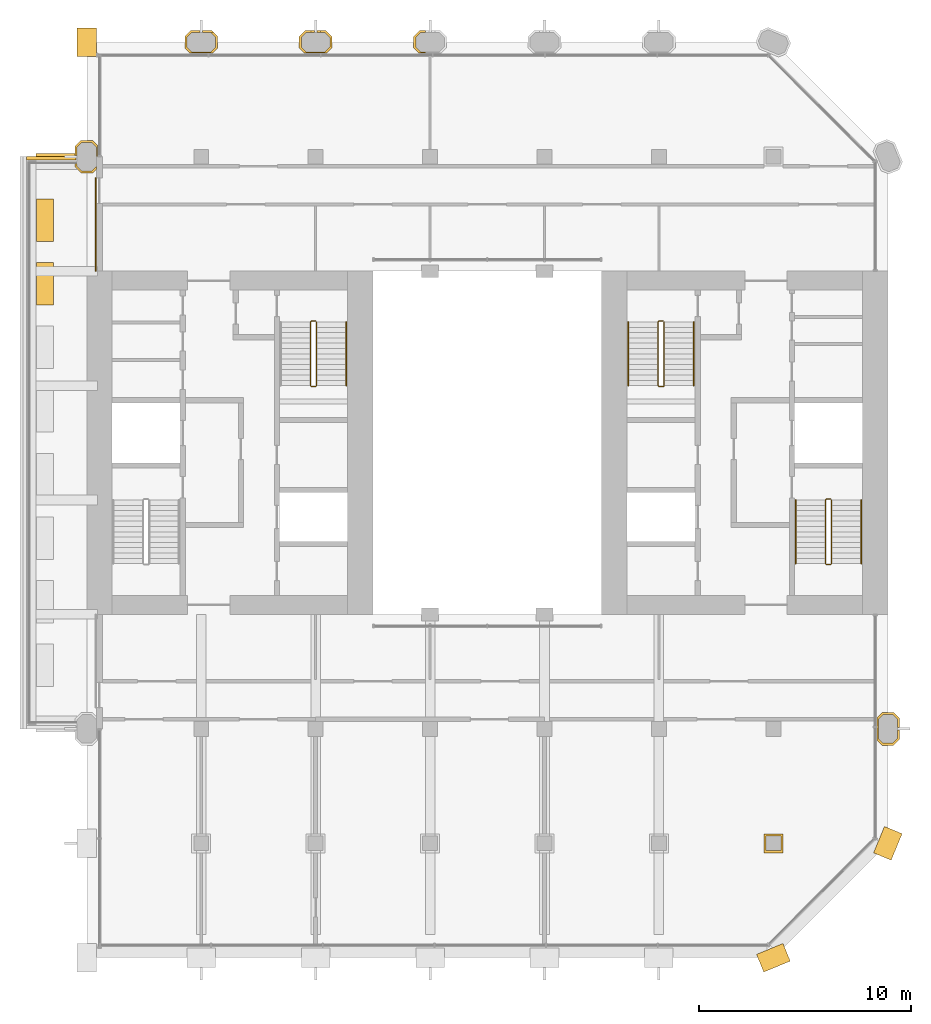
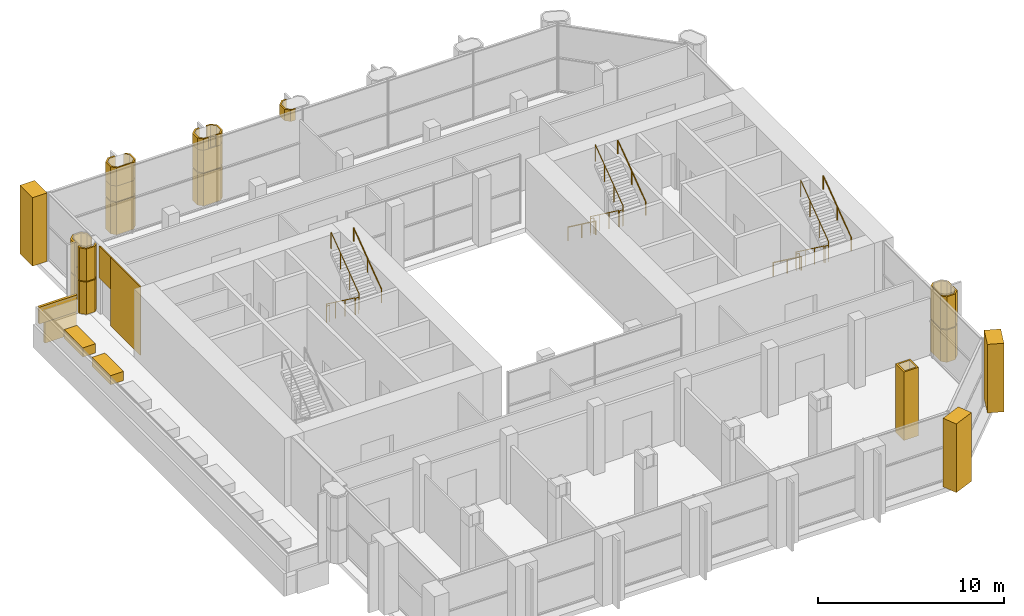
# One storey, part 13 of 14: 24 coverings, 8 railings.
"""IFC4 building model written with IfcOpenShell, lengths in metres."""

from ifc_helpers import new_model, si_unit, direction, frame, frame_2d, origin, origin_2d, place, context, subcontext, project, spatial, polyline, rectangle, circle, outline, extrude, material, layer, layer_set, type_object, element, save


model = new_model("IFC4")

# Units and contexts
model_context = context("Model", 3, precision=1e-05, world=origin(), true_north=direction((0.0, 1.0)))
body_context = subcontext(model_context, "Body", "Model", "MODEL_VIEW")
ifc_project = project(units=[si_unit("LENGTHUNIT", "METRE"), si_unit("AREAUNIT", "SQUARE_METRE"), si_unit("VOLUMEUNIT", "CUBIC_METRE"), si_unit("PLANEANGLEUNIT", "RADIAN"), si_unit("MASSUNIT", "GRAM", prefix="KILO")], contexts=[model_context])

# Site, building, storey
site_placement = place(None, origin())
site = spatial("IfcSite", under=ifc_project, at=site_placement, CompositionType="ELEMENT")
building_placement = place(site_placement, origin())
building = spatial("IfcBuilding", under=site, at=building_placement, Name="Tabaq Tower and Sports Hall", CompositionType="ELEMENT")
storey_placement = place(building_placement, frame((0.0, 0.0, 250.89990234375)))
storey = spatial("IfcBuildingStorey", under=building, at=storey_placement, Name="L61", CompositionType="ELEMENT", Elevation=250.89990234375)

# Coverings
ifc_material_1 = material(Name="Precast concrete C60/75", Category="concrete")
ifc_layer_1 = layer(ifc_material_1, 0.10009765625)
ifc_layer_set_1 = layer_set([ifc_layer_1], Name="Column cladding 100")
covering_type_1 = type_object("IfcCoveringType", Name="Column cladding 100", PredefinedType="CLADDING", material=ifc_layer_set_1)
covering_1_placement = place(storey_placement, frame((0.0, 0.0, 0.10009765625)))
element("IfcCovering", 1, at=covering_1_placement, inside=storey, type_object=covering_type_1, Name="Column cladding L61 PC-2H-S2", PredefinedType="CLADDING", context=body_context, shape_type="SweptSolid", body=[
    extrude(outline(polyline([(4.850341796875, 38.291259765625), (5.1337890625, 38.57470703125), (5.666259765625, 38.57470703125), (5.90966796875, 38.331298828125), (5.90966796875, 37.80029296875), (5.850341796875, 37.80029296875), (5.850341796875, 38.250244140625), (5.625244140625, 38.475341796875), (5.1748046875, 38.475341796875), (4.94970703125, 38.250244140625), (4.94970703125, 37.8603515625), (4.850341796875, 37.8603515625), (4.850341796875, 38.291259765625)])), origin(), (0.0, 0.0, 1.0), 2.1201171875),
])
covering_2_placement = place(storey_placement, frame((0.0, 0.0, 0.10009765625)))
element("IfcCovering", 2, at=covering_2_placement, inside=storey, type_object=covering_type_1, Name="Column cladding L61 PC-2H-S2 2", PredefinedType="CLADDING", context=body_context, shape_type="SweptSolid", body=[
    extrude(outline(polyline([(5.1337890625, 37.025390625), (4.850341796875, 37.30859375), (4.850341796875, 37.48974609375), (4.900390625, 37.48974609375), (4.900390625, 37.509765625), (4.94970703125, 37.509765625), (4.94970703125, 37.349853515625), (5.1748046875, 37.124755859375), (5.625244140625, 37.124755859375), (5.849609375, 37.349365234375), (5.849609375, 37.208740234375), (5.666259765625, 37.025390625), (5.1337890625, 37.025390625)])), origin(), (0.0, 0.0, 1.0), 2.1201171875),
])
covering_3_placement = place(storey_placement, frame((0.0, 0.0, 2.280029296875)))
element("IfcCovering", 3, at=covering_3_placement, inside=storey, type_object=covering_type_1, Name="Column cladding L61 PC-2H-S2 2", PredefinedType="CLADDING", context=body_context, shape_type="SweptSolid", body=[
    extrude(outline(polyline([(4.850341796875, 38.291259765625), (5.1337890625, 38.57470703125), (5.666259765625, 38.57470703125), (5.90966796875, 38.331298828125), (5.90966796875, 37.80029296875), (5.850341796875, 37.80029296875), (5.850341796875, 38.250244140625), (5.625244140625, 38.475341796875), (5.1748046875, 38.475341796875), (4.94970703125, 38.250244140625), (4.94970703125, 37.8603515625), (4.850341796875, 37.8603515625), (4.850341796875, 38.291259765625)])), origin(), (0.0, 0.0, 1.0), 2.1201171875),
])
covering_4_placement = place(storey_placement, frame((0.0, 0.0, 2.280029296875)))
element("IfcCovering", 4, at=covering_4_placement, inside=storey, type_object=covering_type_1, Name="Column cladding L61 PC-2H-S2 2 2", PredefinedType="CLADDING", context=body_context, shape_type="SweptSolid", body=[
    extrude(outline(polyline([(5.1337890625, 37.025390625), (4.850341796875, 37.30859375), (4.850341796875, 37.48974609375), (4.900390625, 37.48974609375), (4.900390625, 37.509765625), (4.94970703125, 37.509765625), (4.94970703125, 37.349853515625), (5.1748046875, 37.124755859375), (5.625244140625, 37.124755859375), (5.849609375, 37.349365234375), (5.849609375, 37.208740234375), (5.666259765625, 37.025390625), (5.1337890625, 37.025390625)])), origin(), (0.0, 0.0, 1.0), 2.1201171875),
])
covering_5_placement = place(storey_placement, frame((0.0, 0.0, 0.10009765625)))
element("IfcCovering", 5, at=covering_5_placement, inside=storey, type_object=covering_type_1, Name="Column cladding L61 PC-3I-S2", PredefinedType="CLADDING", context=body_context, shape_type="SweptSolid", body=[
    extrude(outline(polyline([(10.025390625, 43.46630859375), (10.30859375, 43.749755859375), (10.73974609375, 43.749755859375), (10.73974609375, 43.650390625), (10.349853515625, 43.650390625), (10.124755859375, 43.425048828125), (10.124755859375, 42.974853515625), (10.349853515625, 42.749755859375), (11.250244140625, 42.749755859375), (11.475341796875, 42.974853515625), (11.475341796875, 43.425048828125), (11.250244140625, 43.650390625), (10.8603515625, 43.650390625), (10.8603515625, 43.749755859375), (11.291259765625, 43.749755859375), (11.57470703125, 43.46630859375), (11.57470703125, 42.93359375), (11.331298828125, 42.690185546875), (10.268798828125, 42.690185546875), (10.025390625, 42.93359375), (10.025390625, 43.46630859375)])), origin(), (0.0, 0.0, 1.0), 2.1201171875),
])
covering_6_placement = place(storey_placement, frame((0.0, 0.0, 2.280029296875)))
element("IfcCovering", 6, at=covering_6_placement, inside=storey, type_object=covering_type_1, Name="Column cladding L61 PC-3I-S2 2", PredefinedType="CLADDING", context=body_context, shape_type="SweptSolid", body=[
    extrude(outline(polyline([(10.025390625, 43.46630859375), (10.30859375, 43.749755859375), (10.73974609375, 43.749755859375), (10.73974609375, 43.650390625), (10.349853515625, 43.650390625), (10.124755859375, 43.425048828125), (10.124755859375, 42.974853515625), (10.349853515625, 42.749755859375), (11.250244140625, 42.749755859375), (11.475341796875, 42.974853515625), (11.475341796875, 43.425048828125), (11.250244140625, 43.650390625), (10.8603515625, 43.650390625), (10.8603515625, 43.749755859375), (11.291259765625, 43.749755859375), (11.57470703125, 43.46630859375), (11.57470703125, 42.93359375), (11.331298828125, 42.690185546875), (10.268798828125, 42.690185546875), (10.025390625, 42.93359375), (10.025390625, 43.46630859375)])), origin(), (0.0, 0.0, 1.0), 1.02001953125),
])
covering_7_placement = place(storey_placement, frame((0.0, 0.0, 3.300048828125)))
element("IfcCovering", 7, at=covering_7_placement, inside=storey, type_object=covering_type_1, Name="Column cladding L61 PC-3I-S2 head", PredefinedType="CLADDING", context=body_context, shape_type="SweptSolid", body=[
    extrude(outline(polyline([(10.30859375, 43.749755859375), (10.73974609375, 43.749755859375), (10.73974609375, 43.650390625), (10.349853515625, 43.650390625), (10.124755859375, 43.425048828125), (10.124755859375, 42.974853515625), (10.349853515625, 42.749755859375), (11.250244140625, 42.749755859375), (11.475341796875, 42.974853515625), (11.475341796875, 43.425048828125), (11.250732421875, 43.649658203125), (11.391357421875, 43.649658203125), (11.57470703125, 43.46630859375), (11.57470703125, 42.93359375), (11.331298828125, 42.690185546875), (10.268798828125, 42.690185546875), (10.025390625, 42.93359375), (10.025390625, 43.46630859375), (10.30859375, 43.749755859375)])), origin(), (0.0, 0.0, 1.0), 1.199951171875),
])
covering_8_placement = place(storey_placement, frame((0.0, 0.0, 0.10009765625)))
element("IfcCovering", 8, at=covering_8_placement, inside=storey, type_object=covering_type_1, Name="Column cladding L61 PC-4I-S2", PredefinedType="CLADDING", context=body_context, shape_type="SweptSolid", body=[
    extrude(outline(polyline([(15.42529296875, 43.46630859375), (15.708740234375, 43.749755859375), (16.1396484375, 43.749755859375), (16.1396484375, 43.650390625), (15.749755859375, 43.650390625), (15.524658203125, 43.425048828125), (15.524658203125, 42.974853515625), (15.749755859375, 42.749755859375), (16.650146484375, 42.749755859375), (16.875244140625, 42.974853515625), (16.875244140625, 43.425048828125), (16.650146484375, 43.650390625), (16.26025390625, 43.650390625), (16.26025390625, 43.749755859375), (16.69140625, 43.749755859375), (16.974609375, 43.46630859375), (16.974609375, 42.93359375), (16.731201171875, 42.690185546875), (15.668701171875, 42.690185546875), (15.42529296875, 42.93359375), (15.42529296875, 43.46630859375)])), origin(), (0.0, 0.0, 1.0), 2.1201171875),
])
covering_9_placement = place(storey_placement, frame((0.0, 0.0, 2.280029296875)))
element("IfcCovering", 9, at=covering_9_placement, inside=storey, type_object=covering_type_1, Name="Column cladding L61 PC-4I-S2 2", PredefinedType="CLADDING", context=body_context, shape_type="SweptSolid", body=[
    extrude(outline(polyline([(15.42529296875, 43.46630859375), (15.708740234375, 43.749755859375), (16.1396484375, 43.749755859375), (16.1396484375, 43.650390625), (15.749755859375, 43.650390625), (15.524658203125, 43.425048828125), (15.524658203125, 42.974853515625), (15.749755859375, 42.749755859375), (16.650146484375, 42.749755859375), (16.875244140625, 42.974853515625), (16.875244140625, 43.425048828125), (16.650146484375, 43.650390625), (16.26025390625, 43.650390625), (16.26025390625, 43.749755859375), (16.69140625, 43.749755859375), (16.974609375, 43.46630859375), (16.974609375, 42.93359375), (16.731201171875, 42.690185546875), (15.668701171875, 42.690185546875), (15.42529296875, 42.93359375), (15.42529296875, 43.46630859375)])), origin(), (0.0, 0.0, 1.0), 1.469970703125),
])
covering_10_placement = place(storey_placement, frame((0.0, 0.0, 3.75)))
element("IfcCovering", 10, at=covering_10_placement, inside=storey, type_object=covering_type_1, Name="Column cladding L61 PC-4I-S2 head", PredefinedType="CLADDING", context=body_context, shape_type="SweptSolid", body=[
    extrude(outline(polyline([(16.650146484375, 42.749755859375), (16.875244140625, 42.974853515625), (16.875244140625, 43.425048828125), (16.650146484375, 43.650390625), (16.42529296875, 43.650390625), (16.42529296875, 43.749755859375), (16.69140625, 43.749755859375), (16.974609375, 43.46630859375), (16.974609375, 42.93359375), (16.731201171875, 42.690185546875), (16.42529296875, 42.690185546875), (16.42529296875, 42.749755859375), (16.650146484375, 42.749755859375)])), origin(), (0.0, 0.0, 1.0), 0.75),
])
covering_11_placement = place(storey_placement, frame((0.0, 0.0, 3.75)))
element("IfcCovering", 11, at=covering_11_placement, inside=storey, type_object=covering_type_1, Name="Column cladding L61 PC-4I-S2 head 2", PredefinedType="CLADDING", context=body_context, shape_type="SweptSolid", body=[
    extrude(outline(polyline([(15.708740234375, 43.749755859375), (15.974609375, 43.749755859375), (15.974609375, 43.650390625), (15.749755859375, 43.650390625), (15.524658203125, 43.425048828125), (15.524658203125, 42.974853515625), (15.749755859375, 42.749755859375), (15.974609375, 42.749755859375), (15.974609375, 42.690185546875), (15.668701171875, 42.690185546875), (15.42529296875, 42.93359375), (15.42529296875, 43.46630859375), (15.708740234375, 43.749755859375)])), origin(), (0.0, 0.0, 1.0), 0.75),
])
covering_12_placement = place(storey_placement, frame((0.0, 0.0, 3.75)))
element("IfcCovering", 12, at=covering_12_placement, inside=storey, type_object=covering_type_1, Name="Column cladding L61 PC-5I-S2 head", PredefinedType="CLADDING", context=body_context, shape_type="SweptSolid", body=[
    extrude(outline(polyline([(21.108642578125, 43.749755859375), (21.374755859375, 43.749755859375), (21.374755859375, 43.650390625), (21.14990234375, 43.650390625), (20.9248046875, 43.425048828125), (20.9248046875, 42.974853515625), (21.14990234375, 42.749755859375), (21.374755859375, 42.749755859375), (21.374755859375, 42.690185546875), (21.068603515625, 42.690185546875), (20.8251953125, 42.93359375), (20.8251953125, 43.46630859375), (21.108642578125, 43.749755859375)])), origin(), (0.0, 0.0, 1.0), 0.75),
])
covering_13_placement = place(storey_placement, origin())
element("IfcCovering", 13, at=covering_13_placement, inside=storey, type_object=covering_type_1, Name="Column cladding L61 CC-8B-S2", PredefinedType="CLADDING", context=body_context, shape_type="SweptSolid", body=[
    extrude(outline(polyline([(37.350341796875, 5.849609375), (38.249755859375, 5.849609375), (38.249755859375, 4.9501953125), (37.350341796875, 4.9501953125), (37.350341796875, 5.849609375)]), holes=[polyline([(38.150390625, 5.0498046875), (38.150390625, 5.750244140625), (37.44970703125, 5.750244140625), (37.44970703125, 5.0498046875), (38.150390625, 5.0498046875)])]), origin(), (0.0, 0.0, 1.0), 4.5),
])
for number, where, name in (
    (14, (0.0, 0.0, 0.10009765625), "Column cladding L61 PC-9C-S2"),
    (15, (0.0, 0.0, 2.280029296875), "Column cladding L61 PC-9C-S2 2"),
):
    element("IfcCovering", number, at=place(storey_placement, frame(where)), inside=storey, type_object=covering_type_1, Name=name, PredefinedType="CLADDING", context=body_context, shape_type="SweptSolid", body=[
        extrude(outline(polyline([(42.93359375, 10.025390625), (42.690185546875, 10.268798828125), (42.690185546875, 11.331298828125), (42.93359375, 11.57470703125), (43.46630859375, 11.57470703125), (43.749755859375, 11.291259765625), (43.749755859375, 10.8603515625), (43.650390625, 10.8603515625), (43.650390625, 11.250244140625), (43.425048828125, 11.475341796875), (42.974853515625, 11.475341796875), (42.749755859375, 11.250244140625), (42.749755859375, 10.349853515625), (42.974853515625, 10.124755859375), (43.425048828125, 10.124755859375), (43.650390625, 10.349853515625), (43.650390625, 10.73974609375), (43.749755859375, 10.73974609375), (43.749755859375, 10.30859375), (43.46630859375, 10.025390625), (42.93359375, 10.025390625)])), origin(), (0.0, 0.0, 1.0), 2.1201171875),
    ])
ifc_material_2 = material(Name="White precast concrete C60/75", Category="concrete")
covering_type_2 = type_object("IfcCoveringType", Name="Pier cladding hung 1350x900", PredefinedType="CLADDING", material=ifc_material_2)
for number, where, z_axis, x_axis, name in (
    (16, (5.39990234375, 43.875, 0.0), (0.0, 0.0, 1.0), (0.0, -1.0, 0.0), "Hung pier cladding 1/8"),
    (17, (37.17626953125, -0.25830078125, 0.0), (0.0, 0.0, 1.0), (0.923893411637, 0.382649923473, 0.0), "Hung pier cladding 7/0"),
    (18, (42.941650390625, 4.7763671875, 0.0), (0.0, 0.0, 1.0), (0.382649923473, 0.923893411637, 0.0), "Hung pier cladding 8/1"),
):
    element("IfcCovering", number, at=place(storey_placement, frame(where, z_axis=z_axis, x_axis=x_axis)), inside=storey, type_object=covering_type_2, Name=name, PredefinedType="CLADDING", context=body_context, shape_type="SweptSolid", body=[
        extrude(rectangle(XDim=1.35009765625, YDim=0.89990234375, at=frame_2d((0.675048828125, 0.0))), origin(), (0.0, 0.0, 1.0), 4.5),
    ])
ifc_material_3 = material(Name="Planting soil and drainage layer")
covering_type_3 = type_object("IfcCoveringType", Name="Planter 2000x800x600", PredefinedType="USERDEFINED", material=ifc_material_3)
for number, where, z_axis, x_axis, name in (
    (19, (3.429931640625, 34.800048828125, 0.0), (0.0, 0.0, 1.0), (0.0, -1.0, 0.0), "Planter L61"),
    (20, (3.429931640625, 31.800048828125, 0.0), (0.0, 0.0, 1.0), (0.0, -1.0, 0.0), "Planter L61"),
):
    element("IfcCovering", number, at=place(storey_placement, frame(where, z_axis=z_axis, x_axis=x_axis)), inside=storey, type_object=covering_type_3, Name=name, ObjectType="PLANTER", PredefinedType="USERDEFINED", context=body_context, shape_type="SweptSolid", body=[
        extrude(rectangle(XDim=2.0, YDim=0.800048828125, at=origin_2d()), origin(), (0.0, 0.0, 1.0), 0.60009765625),
    ])

# Railings
ifc_material_4 = material(Name="Stainless steel", Category="steel")
railing_type_1 = type_object("IfcRailingType", Name="Stair guard", PredefinedType="GUARDRAIL", material=ifc_material_4)
railing_1_placement = place(storey_placement, frame((16.199951171875, 30.050048828125, 0.0)))
element("IfcRailing", 21, at=railing_1_placement, inside=storey, type_object=railing_type_1, Name="L61 ST2 stair guard 1", PredefinedType="GUARDRAIL", context=body_context, shape_type="SweptSolid", body=[
    extrude(circle(Radius=0.02392578125, at=origin_2d()), frame((0.0, 0.0, 1.076171875), z_axis=(-1.0, 0.0, 0.0), x_axis=(0.0, -1.0, 0.0)), (0.0, 0.0, 1.0), 0.199951171875),
    extrude(circle(Radius=0.02392578125, at=origin_2d()), frame((-0.199951171875, 0.0, 1.076171875), z_axis=(-0.252893960547, -0.252893960547, 0.933857210411), x_axis=(0.707106781187, -0.707106781187, 0.0)), (0.0, 0.0, 1.0), 0.197998046875),
    extrude(circle(Radius=0.02392578125, at=origin_2d()), frame((-0.25, -0.050048828125, 1.2607421875), z_axis=(0.0, -0.804440004972, 0.594033903411), x_axis=(1.0, 0.0, 0.0)), (0.0, 0.0, 1.0), 3.729248046875),
    extrude(circle(Radius=0.02392578125, at=origin_2d()), frame((-0.25, -3.050048828125, 3.47607421875), z_axis=(0.707106781187, -0.707106781187, 0.0), x_axis=(0.707106781187, 0.707106781187, 0.0)), (0.0, 0.0, 1.0), 0.07080078125),
    extrude(circle(Radius=0.02392578125, at=origin_2d()), frame((-0.199951171875, -3.10009765625, 3.47607421875), z_axis=(1.0, 0.0, 0.0), x_axis=(0.0, 1.0, 0.0)), (0.0, 0.0, 1.0), 0.199951171875),
    extrude(circle(Radius=0.02392578125, at=origin_2d()), frame((0.0, -3.10009765625, 3.47607421875), z_axis=(0.253185614162, 0.253185614162, 0.933699142959), x_axis=(-0.707106781187, 0.707106781187, 0.0)), (0.0, 0.0, 1.0), 0.19775390625),
    extrude(circle(Radius=0.02392578125, at=origin_2d()), frame((0.050048828125, -3.050048828125, 3.66064453125), z_axis=(0.0, 0.804440004972, 0.594033903411), x_axis=(-1.0, 0.0, 0.0)), (0.0, 0.0, 1.0), 3.729248046875),
    extrude(circle(Radius=0.02099609375, at=origin_2d()), origin(), (0.0, 0.0, 1.0), 1.052001953125),
    extrude(circle(Radius=0.02099609375, at=origin_2d()), frame((-0.199951171875, 0.0, 0.0)), (0.0, 0.0, 1.0), 1.052001953125),
    extrude(circle(Radius=0.02099609375, at=origin_2d()), frame((-0.25, -0.050048828125, 0.184814453125)), (0.0, 0.0, 1.0), 1.052001953125),
    extrude(circle(Radius=0.02099609375, at=origin_2d()), frame((-0.25, -1.050048828125, 0.92333984375)), (0.0, 0.0, 1.0), 1.052001953125),
    extrude(circle(Radius=0.02099609375, at=origin_2d()), frame((-0.25, -2.050048828125, 1.66162109375)), (0.0, 0.0, 1.0), 1.052001953125),
    extrude(circle(Radius=0.02099609375, at=origin_2d()), frame((-0.25, -3.050048828125, 2.400146484375)), (0.0, 0.0, 1.0), 1.052001953125),
    extrude(circle(Radius=0.02099609375, at=origin_2d()), frame((-0.199951171875, -3.10009765625, 2.400146484375)), (0.0, 0.0, 1.0), 1.052001953125),
    extrude(circle(Radius=0.02099609375, at=origin_2d()), frame((0.0, -3.10009765625, 2.400146484375)), (0.0, 0.0, 1.0), 1.052001953125),
    extrude(circle(Radius=0.02099609375, at=origin_2d()), frame((0.050048828125, -3.050048828125, 2.584716796875)), (0.0, 0.0, 1.0), 1.052001953125),
    extrude(circle(Radius=0.02099609375, at=origin_2d()), frame((0.050048828125, -2.050048828125, 3.3232421875)), (0.0, 0.0, 1.0), 1.052001953125),
    extrude(circle(Radius=0.02099609375, at=origin_2d()), frame((0.050048828125, -1.050048828125, 4.0615234375)), (0.0, 0.0, 1.0), 1.052001953125),
    extrude(circle(Radius=0.02099609375, at=origin_2d()), frame((0.050048828125, -0.050048828125, 4.800048828125)), (0.0, 0.0, 1.0), 1.052001953125),
])
railing_2_placement = place(storey_placement, frame((40.5, 21.64990234375, 0.0)))
element("IfcRailing", 22, at=railing_2_placement, inside=storey, type_object=railing_type_1, Name="L61 ST3 stair guard 1", PredefinedType="GUARDRAIL", context=body_context, shape_type="SweptSolid", body=[
    extrude(circle(Radius=0.02392578125, at=origin_2d()), frame((0.0, 0.0, 1.076171875), z_axis=(-1.0, 0.0, 0.0), x_axis=(0.0, -1.0, 0.0)), (0.0, 0.0, 1.0), 0.199951171875),
    extrude(circle(Radius=0.02392578125, at=origin_2d()), frame((-0.199951171875, 0.0, 1.076171875), z_axis=(-0.252972702061, -0.251738688881, 0.934147977856), x_axis=(0.705375805398, -0.708833529934, 0.0)), (0.0, 0.0, 1.0), 0.19775390625),
    extrude(circle(Radius=0.02392578125, at=origin_2d()), frame((-0.25, -0.0498046875, 1.2607421875), z_axis=(0.0, -0.804440004972, 0.594033903411), x_axis=(1.0, 0.0, 0.0)), (0.0, 0.0, 1.0), 3.729248046875),
    extrude(circle(Radius=0.02392578125, at=origin_2d()), frame((-0.25, -3.0498046875, 3.47607421875), z_axis=(0.707106781187, -0.707106781187, 0.0), x_axis=(0.707106781187, 0.707106781187, 0.0)), (0.0, 0.0, 1.0), 0.07080078125),
    extrude(circle(Radius=0.02392578125, at=origin_2d()), frame((-0.199951171875, -3.099853515625, 3.47607421875), z_axis=(1.0, 0.0, 0.0), x_axis=(0.0, 1.0, 0.0)), (0.0, 0.0, 1.0), 0.199951171875),
    extrude(circle(Radius=0.02392578125, at=origin_2d()), frame((0.0, -3.099853515625, 3.47607421875), z_axis=(0.253185614162, 0.253185614162, 0.933699142959), x_axis=(-0.707106781187, 0.707106781187, 0.0)), (0.0, 0.0, 1.0), 0.19775390625),
    extrude(circle(Radius=0.02392578125, at=origin_2d()), frame((0.050048828125, -3.0498046875, 3.66064453125), z_axis=(0.0, 0.804440004972, 0.594033903411), x_axis=(-1.0, 0.0, 0.0)), (0.0, 0.0, 1.0), 3.729248046875),
    extrude(circle(Radius=0.02099609375, at=origin_2d()), origin(), (0.0, 0.0, 1.0), 1.052001953125),
    extrude(circle(Radius=0.02099609375, at=origin_2d()), frame((-0.199951171875, 0.0, 0.0)), (0.0, 0.0, 1.0), 1.052001953125),
    extrude(circle(Radius=0.02099609375, at=origin_2d()), frame((-0.25, -0.0498046875, 0.184814453125)), (0.0, 0.0, 1.0), 1.052001953125),
    extrude(circle(Radius=0.02099609375, at=origin_2d()), frame((-0.25, -1.0498046875, 0.92333984375)), (0.0, 0.0, 1.0), 1.052001953125),
    extrude(circle(Radius=0.02099609375, at=origin_2d()), frame((-0.25, -2.0498046875, 1.66162109375)), (0.0, 0.0, 1.0), 1.052001953125),
    extrude(circle(Radius=0.02099609375, at=origin_2d()), frame((-0.25, -3.0498046875, 2.400146484375)), (0.0, 0.0, 1.0), 1.052001953125),
    extrude(circle(Radius=0.02099609375, at=origin_2d()), frame((-0.199951171875, -3.099853515625, 2.400146484375)), (0.0, 0.0, 1.0), 1.052001953125),
    extrude(circle(Radius=0.02099609375, at=origin_2d()), frame((0.0, -3.099853515625, 2.400146484375)), (0.0, 0.0, 1.0), 1.052001953125),
    extrude(circle(Radius=0.02099609375, at=origin_2d()), frame((0.050048828125, -3.0498046875, 2.584716796875)), (0.0, 0.0, 1.0), 1.052001953125),
    extrude(circle(Radius=0.02099609375, at=origin_2d()), frame((0.050048828125, -2.0498046875, 3.3232421875)), (0.0, 0.0, 1.0), 1.052001953125),
    extrude(circle(Radius=0.02099609375, at=origin_2d()), frame((0.050048828125, -1.0498046875, 4.0615234375)), (0.0, 0.0, 1.0), 1.052001953125),
    extrude(circle(Radius=0.02099609375, at=origin_2d()), frame((0.050048828125, -0.0498046875, 4.800048828125)), (0.0, 0.0, 1.0), 1.052001953125),
])
railing_3_placement = place(storey_placement, frame((32.60009765625, 30.050048828125, 0.0)))
element("IfcRailing", 23, at=railing_3_placement, inside=storey, type_object=railing_type_1, Name="L61 ST4 stair guard 1", PredefinedType="GUARDRAIL", context=body_context, shape_type="SweptSolid", body=[
    extrude(circle(Radius=0.02392578125, at=origin_2d()), frame((0.0, 0.0, 1.076171875), z_axis=(-1.0, 0.0, 0.0), x_axis=(0.0, -1.0, 0.0)), (0.0, 0.0, 1.0), 0.2001953125),
    extrude(circle(Radius=0.02392578125, at=origin_2d()), frame((-0.2001953125, 0.0, 1.076171875), z_axis=(-0.251738688881, -0.252972702061, 0.934147977856), x_axis=(0.708833529934, -0.705375805398, 0.0)), (0.0, 0.0, 1.0), 0.19775390625),
    extrude(circle(Radius=0.02392578125, at=origin_2d()), frame((-0.25, -0.050048828125, 1.2607421875), z_axis=(0.0, -0.804440004972, 0.594033903411), x_axis=(1.0, 0.0, 0.0)), (0.0, 0.0, 1.0), 3.729248046875),
    extrude(circle(Radius=0.02392578125, at=origin_2d()), frame((-0.25, -3.050048828125, 3.47607421875), z_axis=(0.705375805398, -0.708833529934, 0.0), x_axis=(0.708833529934, 0.705375805398, 0.0)), (0.0, 0.0, 1.0), 0.070556640625),
    extrude(circle(Radius=0.02392578125, at=origin_2d()), frame((-0.2001953125, -3.10009765625, 3.47607421875), z_axis=(1.0, 0.0, 0.0), x_axis=(0.0, 1.0, 0.0)), (0.0, 0.0, 1.0), 0.2001953125),
    extrude(circle(Radius=0.02392578125, at=origin_2d()), frame((0.0, -3.10009765625, 3.47607421875), z_axis=(0.252029191293, 0.253264628505, 0.933990532438), x_axis=(-0.708833529934, 0.705375805398, 0.0)), (0.0, 0.0, 1.0), 0.197509765625),
    extrude(circle(Radius=0.02392578125, at=origin_2d()), frame((0.0498046875, -3.050048828125, 3.66064453125), z_axis=(0.0, 0.804440004972, 0.594033903411), x_axis=(-1.0, 0.0, 0.0)), (0.0, 0.0, 1.0), 3.729248046875),
    extrude(circle(Radius=0.02099609375, at=origin_2d()), origin(), (0.0, 0.0, 1.0), 1.052001953125),
    extrude(circle(Radius=0.02099609375, at=origin_2d()), frame((-0.2001953125, 0.0, 0.0)), (0.0, 0.0, 1.0), 1.052001953125),
    extrude(circle(Radius=0.02099609375, at=origin_2d()), frame((-0.25, -0.050048828125, 0.184814453125)), (0.0, 0.0, 1.0), 1.052001953125),
    extrude(circle(Radius=0.02099609375, at=origin_2d()), frame((-0.25, -1.050048828125, 0.92333984375)), (0.0, 0.0, 1.0), 1.052001953125),
    extrude(circle(Radius=0.02099609375, at=origin_2d()), frame((-0.25, -2.050048828125, 1.66162109375)), (0.0, 0.0, 1.0), 1.052001953125),
    extrude(circle(Radius=0.02099609375, at=origin_2d()), frame((-0.25, -3.050048828125, 2.400146484375)), (0.0, 0.0, 1.0), 1.052001953125),
    extrude(circle(Radius=0.02099609375, at=origin_2d()), frame((-0.2001953125, -3.10009765625, 2.400146484375)), (0.0, 0.0, 1.0), 1.052001953125),
    extrude(circle(Radius=0.02099609375, at=origin_2d()), frame((0.0, -3.10009765625, 2.400146484375)), (0.0, 0.0, 1.0), 1.052001953125),
    extrude(circle(Radius=0.02099609375, at=origin_2d()), frame((0.0498046875, -3.050048828125, 2.584716796875)), (0.0, 0.0, 1.0), 1.052001953125),
    extrude(circle(Radius=0.02099609375, at=origin_2d()), frame((0.0498046875, -2.050048828125, 3.3232421875)), (0.0, 0.0, 1.0), 1.052001953125),
    extrude(circle(Radius=0.02099609375, at=origin_2d()), frame((0.0498046875, -1.050048828125, 4.0615234375)), (0.0, 0.0, 1.0), 1.052001953125),
    extrude(circle(Radius=0.02099609375, at=origin_2d()), frame((0.0498046875, -0.050048828125, 4.800048828125)), (0.0, 0.0, 1.0), 1.052001953125),
])
ifc_material_5 = material(Name="Stainless steel", Category="steel")
railing_type_2 = type_object("IfcRailingType", Name="Stair handrail", PredefinedType="HANDRAIL", material=ifc_material_5)
railing_4_placement = place(storey_placement, frame((17.64990234375, 27.0, 2.584716796875)))
element("IfcRailing", 24, at=railing_4_placement, inside=storey, type_object=railing_type_2, Name="L61 ST2 stair handrail 2", PredefinedType="HANDRAIL", context=body_context, shape_type="SweptSolid", body=[
    extrude(circle(Radius=0.02392578125, at=origin_2d()), frame((0.0, 0.0, 0.8759765625), z_axis=(0.0, 0.804440004972, 0.594033903411), x_axis=(-1.0, 0.0, 0.0)), (0.0, 0.0, 1.0), 3.729248046875),
    extrude(circle(Radius=0.02099609375, at=origin_2d()), origin(), (0.0, 0.0, 1.0), 0.851806640625),
    extrude(circle(Radius=0.02099609375, at=origin_2d()), frame((0.0, 1.5, 1.107666015625)), (0.0, 0.0, 1.0), 0.851806640625),
    extrude(circle(Radius=0.02099609375, at=origin_2d()), frame((0.0, 3.0, 2.21533203125)), (0.0, 0.0, 1.0), 0.851806640625),
])
railing_5_placement = place(storey_placement, frame((38.85009765625, 21.60009765625, 0.184814453125)))
element("IfcRailing", 25, at=railing_5_placement, inside=storey, type_object=railing_type_2, Name="L61 ST3 stair handrail 1", PredefinedType="HANDRAIL", context=body_context, shape_type="SweptSolid", body=[
    extrude(circle(Radius=0.02392578125, at=origin_2d()), frame((0.0, 0.0, 0.8759765625), z_axis=(0.0, -0.804440004972, 0.594033903411), x_axis=(1.0, 0.0, 0.0)), (0.0, 0.0, 1.0), 3.729248046875),
    extrude(circle(Radius=0.02099609375, at=origin_2d()), origin(), (0.0, 0.0, 1.0), 0.851806640625),
    extrude(circle(Radius=0.02099609375, at=origin_2d()), frame((0.0, -1.5, 1.107666015625)), (0.0, 0.0, 1.0), 0.851806640625),
    extrude(circle(Radius=0.02099609375, at=origin_2d()), frame((0.0, -3.0, 2.21533203125)), (0.0, 0.0, 1.0), 0.851806640625),
])
railing_6_placement = place(storey_placement, frame((41.949951171875, 18.60009765625, 2.584716796875)))
element("IfcRailing", 26, at=railing_6_placement, inside=storey, type_object=railing_type_2, Name="L61 ST3 stair handrail 2", PredefinedType="HANDRAIL", context=body_context, shape_type="SweptSolid", body=[
    extrude(circle(Radius=0.02392578125, at=origin_2d()), frame((0.0, 0.0, 0.8759765625), z_axis=(0.0, 0.804440004972, 0.594033903411), x_axis=(-1.0, 0.0, 0.0)), (0.0, 0.0, 1.0), 3.729248046875),
    extrude(circle(Radius=0.02099609375, at=origin_2d()), origin(), (0.0, 0.0, 1.0), 0.851806640625),
    extrude(circle(Radius=0.02099609375, at=origin_2d()), frame((0.0, 1.5, 1.107666015625)), (0.0, 0.0, 1.0), 0.851806640625),
    extrude(circle(Radius=0.02099609375, at=origin_2d()), frame((0.0, 3.0, 2.21533203125)), (0.0, 0.0, 1.0), 0.851806640625),
])
railing_7_placement = place(storey_placement, frame((30.949951171875, 30.0, 0.184814453125)))
element("IfcRailing", 27, at=railing_7_placement, inside=storey, type_object=railing_type_2, Name="L61 ST4 stair handrail 1", PredefinedType="HANDRAIL", context=body_context, shape_type="SweptSolid", body=[
    extrude(circle(Radius=0.02392578125, at=origin_2d()), frame((0.0, 0.0, 0.8759765625), z_axis=(0.0, -0.804440004972, 0.594033903411), x_axis=(1.0, 0.0, 0.0)), (0.0, 0.0, 1.0), 3.729248046875),
    extrude(circle(Radius=0.02099609375, at=origin_2d()), origin(), (0.0, 0.0, 1.0), 0.851806640625),
    extrude(circle(Radius=0.02099609375, at=origin_2d()), frame((0.0, -1.5, 1.107666015625)), (0.0, 0.0, 1.0), 0.851806640625),
    extrude(circle(Radius=0.02099609375, at=origin_2d()), frame((0.0, -3.0, 2.21533203125)), (0.0, 0.0, 1.0), 0.851806640625),
])
railing_8_placement = place(storey_placement, frame((34.050048828125, 27.0, 2.584716796875)))
element("IfcRailing", 28, at=railing_8_placement, inside=storey, type_object=railing_type_2, Name="L61 ST4 stair handrail 2", PredefinedType="HANDRAIL", context=body_context, shape_type="SweptSolid", body=[
    extrude(circle(Radius=0.02392578125, at=origin_2d()), frame((0.0, 0.0, 0.8759765625), z_axis=(0.0, 0.804440004972, 0.594033903411), x_axis=(-1.0, 0.0, 0.0)), (0.0, 0.0, 1.0), 3.729248046875),
    extrude(circle(Radius=0.02099609375, at=origin_2d()), origin(), (0.0, 0.0, 1.0), 0.851806640625),
    extrude(circle(Radius=0.02099609375, at=origin_2d()), frame((0.0, 1.5, 1.107666015625)), (0.0, 0.0, 1.0), 0.851806640625),
    extrude(circle(Radius=0.02099609375, at=origin_2d()), frame((0.0, 3.0, 2.21533203125)), (0.0, 0.0, 1.0), 0.851806640625),
])

# Coverings
ifc_material_6 = material(Name="Precast concrete C60/75", Category="concrete")
ifc_layer_2 = layer(ifc_material_6, 0.14990234375)
ifc_layer_set_2 = layer_set([ifc_layer_2], Name="Tray fascia 1200")
covering_type_4 = type_object("IfcCoveringType", Name="Tray fascia 1200", PredefinedType="CLADDING", material=ifc_layer_set_2)
covering_14_placement = place(storey_placement, frame((4.949951171875, 37.875, -1.5), z_axis=(0.0, 0.0, 1.0), x_axis=(-1.0, 0.0, 0.0)))
element("IfcCovering", 29, at=covering_14_placement, inside=storey, type_object=covering_type_4, Name="Tray fascia L61 EBT", PredefinedType="CLADDING", context=body_context, shape_type="SweptSolid", body=[
    extrude(rectangle(XDim=1.949951171875, YDim=0.14990234375, at=frame_2d((0.97509765625, 0.0))), origin(), (0.0, 0.0, 1.0), 1.5),
])
ifc_material_7 = material(Name="Precast concrete C60/75", Category="concrete")
ifc_layer_3 = layer(ifc_material_7, 0.14990234375)
ifc_layer_set_3 = layer_set([ifc_layer_3], Name="Tray upstand cladding 1100")
covering_type_5 = type_object("IfcCoveringType", Name="Tray upstand cladding 1100", PredefinedType="CLADDING", material=ifc_layer_set_3)
covering_15_placement = place(storey_placement, frame((4.89990234375, 37.72509765625, 0.0), z_axis=(0.0, 0.0, 1.0), x_axis=(-1.0, 0.0, 0.0)))
element("IfcCovering", 30, at=covering_15_placement, inside=storey, type_object=covering_type_5, Name="Tray upstand cladding L61", PredefinedType="CLADDING", context=body_context, shape_type="SweptSolid", body=[
    extrude(rectangle(XDim=2.349853515625, YDim=0.14990234375, at=frame_2d((1.1748046875, 0.0))), origin(), (0.0, 0.0, 1.0), 1.10009765625),
])
ifc_material_8 = material(Name="Precast concrete C60/75", Category="concrete")
ifc_layer_4 = layer(ifc_material_8, 0.06005859375)
ifc_layer_set_4 = layer_set([ifc_layer_4], Name="White precast cladding panel 60 C60/75")
covering_type_6 = type_object("IfcCoveringType", Name="White precast cladding panel 60 C60/75", PredefinedType="CLADDING", material=ifc_layer_set_4)
covering_16_placement = place(storey_placement, frame((5.820068359375, 36.81005859375, 2.41015625), z_axis=(0.0, 0.0, 1.0), x_axis=(0.0, -1.0, 0.0)))
element("IfcCovering", 31, at=covering_16_placement, inside=storey, type_object=covering_type_6, Name="White precast cladding panel L61 infill05-0-1", PredefinedType="CLADDING", context=body_context, shape_type="SweptSolid", body=[
    extrude(rectangle(XDim=1.219970703125, YDim=0.06005859375, at=frame_2d((0.60986328125, 0.0))), origin(), (0.0, 0.0, 1.0), 2.08984375),
])
covering_17_placement = place(storey_placement, frame((5.820068359375, 35.590087890625, 0.0), z_axis=(0.0, 0.0, 1.0), x_axis=(0.0, -1.0, 0.0)))
element("IfcCovering", 32, at=covering_17_placement, inside=storey, type_object=covering_type_6, Name="White precast cladding panel L61 infill05-0-1 2", PredefinedType="CLADDING", context=body_context, shape_type="SweptSolid", body=[
    extrude(rectangle(XDim=3.190185546875, YDim=0.06005859375, at=frame_2d((1.59521484375, 0.0))), origin(), (0.0, 0.0, 1.0), 4.5),
])

save(model, "model.ifc")
